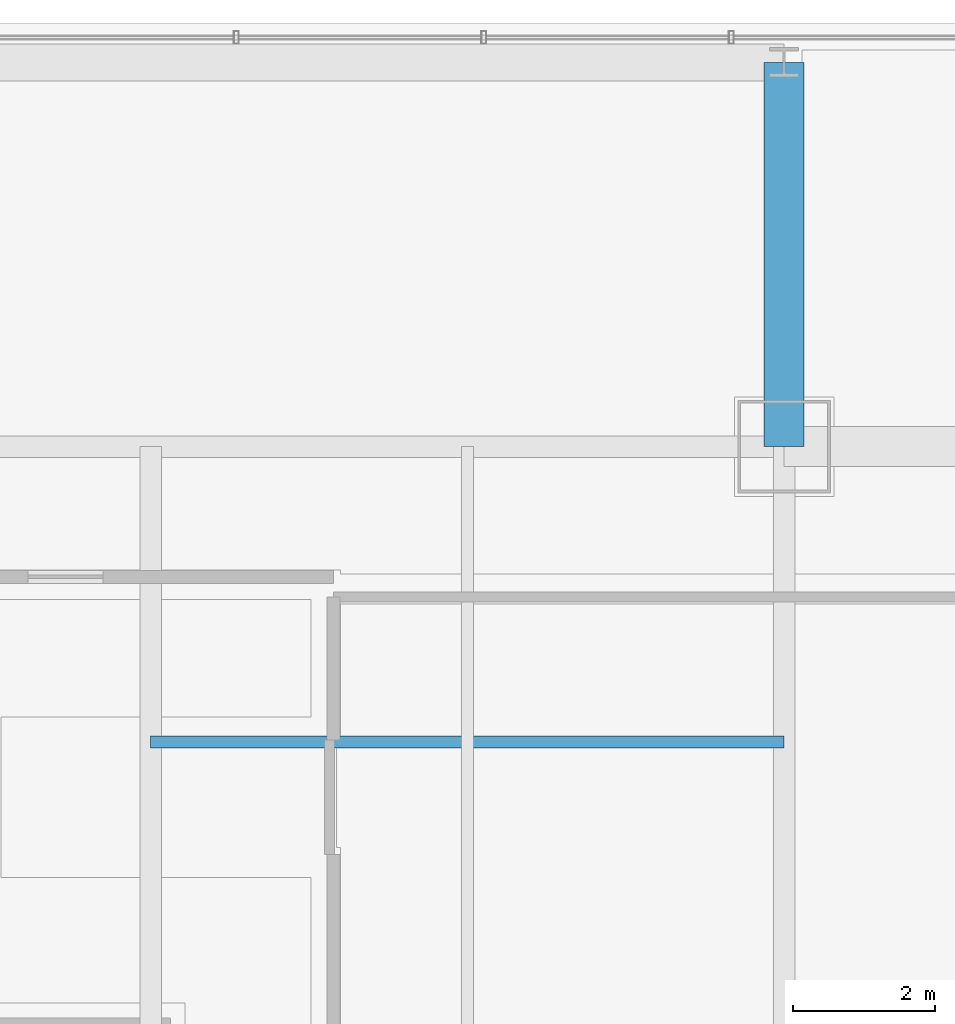
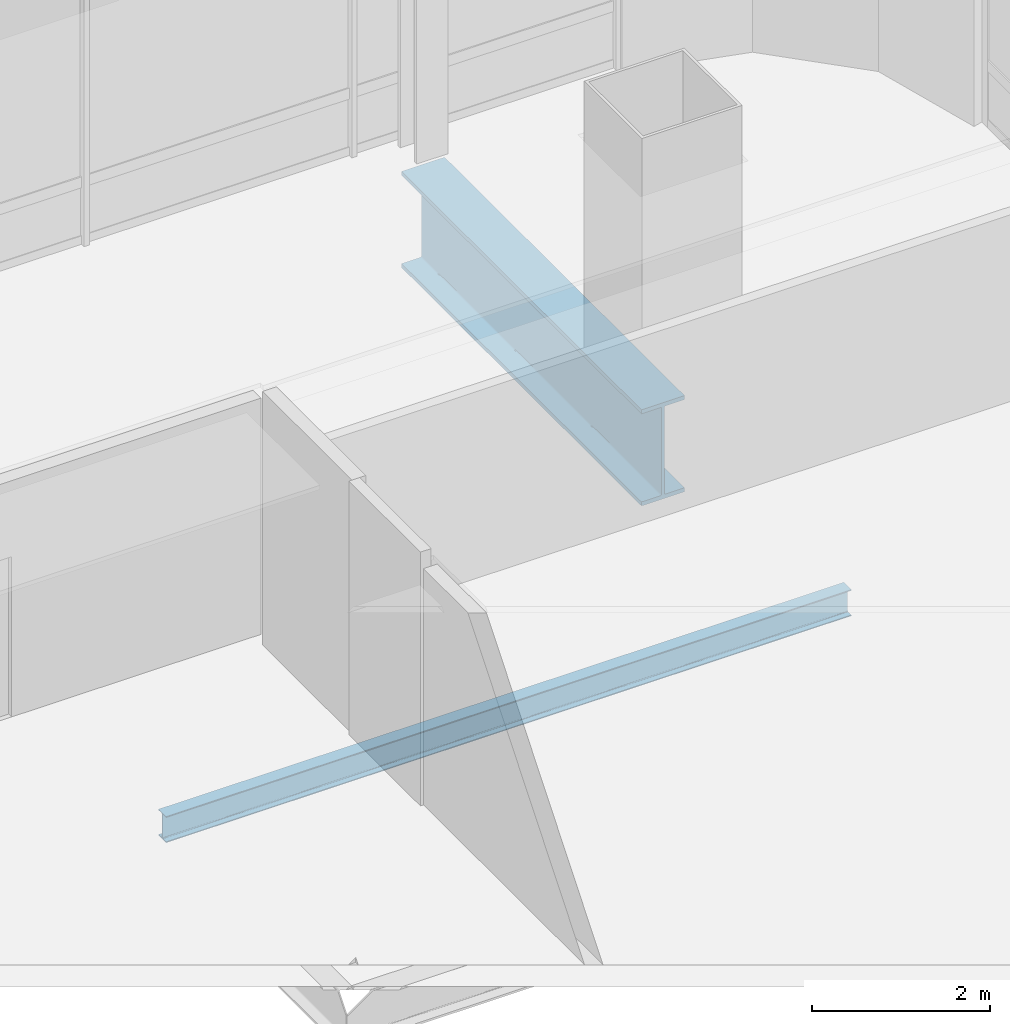
# One storey, part 25 of 44: 2 beams.
"""IFC4 building model written with IfcOpenShell, lengths in metres."""

from ifc_helpers import new_model, si_unit, direction, frame, origin, origin_2d, place, context, subcontext, project, spatial, i_section, extrude, material, material_profile, profile_set, type_object, element, save


model = new_model("IFC4")

# Units and contexts
model_context = context("Model", 3, precision=1e-05, world=origin(), true_north=direction((0.0, 1.0)))
body_context = subcontext(model_context, "Body", "Model", "MODEL_VIEW")
ifc_project = project(units=[si_unit("LENGTHUNIT", "METRE"), si_unit("AREAUNIT", "SQUARE_METRE"), si_unit("VOLUMEUNIT", "CUBIC_METRE"), si_unit("PLANEANGLEUNIT", "RADIAN"), si_unit("MASSUNIT", "GRAM", prefix="KILO")], contexts=[model_context])

# Site, building, storey
site_placement = place(None, origin())
site = spatial("IfcSite", under=ifc_project, at=site_placement, CompositionType="ELEMENT")
building_placement = place(site_placement, origin())
building = spatial("IfcBuilding", under=site, at=building_placement, Name="Punatoya Terracotta Tower", CompositionType="ELEMENT")
storey_placement = place(building_placement, frame((0.0, 0.0, 267.60009765625)))
storey = spatial("IfcBuildingStorey", under=building, at=storey_placement, Name="L63", CompositionType="ELEMENT", Elevation=267.60009765625)

# Beams
ifc_material_1 = material(Name="Steel S355", Category="steel")
ifc_material_profile_1 = material_profile(ifc_material_1, i_section(OverallWidth=0.169921875, OverallDepth=0.360107421875, WebThickness=0.008056640625, FlangeThickness=0.0126953125, FilletRadius=0.01806640625, at=origin_2d()))
ifc_profile_set_1 = profile_set([ifc_material_profile_1], Name="Steel S355")
beam_type_1 = type_object("IfcBeamType", Name="BM-SEC-360", PredefinedType="JOIST", material=ifc_profile_set_1)
beam_1_placement = place(storey_placement, frame((10.199951171875, 13.35009765625, -0.380126953125), z_axis=(1.0, 0.0, 0.0), x_axis=(0.0, 1.0, 0.0)))
element("IfcBeam", 1, at=beam_1_placement, inside=storey, type_object=beam_type_1, Name="BM-L63-SJN-2", PredefinedType="JOIST", context=body_context, shape_type="SweptSolid", body=[
    extrude(i_section(OverallWidth=0.169921875, OverallDepth=0.360107421875, WebThickness=0.008056640625, FlangeThickness=0.0126953125, FilletRadius=0.01806640625, at=origin_2d()), origin(), (0.0, 0.0, 1.0), 8.900146484375),
])
ifc_material_2 = material(Name="Steel S460", Category="steel")
ifc_material_profile_2 = material_profile(ifc_material_2, i_section(OverallWidth=0.56005859375, OverallDepth=1.320068359375, WebThickness=0.035888671875, FlangeThickness=0.054931640625, FilletRadius=0.01806640625, at=origin_2d()))
ifc_profile_set_2 = profile_set([ifc_material_profile_2], Name="Steel S460")
beam_type_2 = type_object("IfcBeamType", Name="BM-TG-BLK", PredefinedType="BEAM", material=ifc_profile_set_2)
beam_2_placement = place(storey_placement, frame((19.10009765625, 17.5, -0.860107421875), z_axis=(0.0, 1.0, 0.0), x_axis=(-1.0, 0.0, 0.0)))
element("IfcBeam", 2, at=beam_2_placement, inside=storey, type_object=beam_type_2, Name="BM-L63-CANT-N4", PredefinedType="BEAM", context=body_context, shape_type="SweptSolid", body=[
    extrude(i_section(OverallWidth=0.56005859375, OverallDepth=1.320068359375, WebThickness=0.035888671875, FlangeThickness=0.054931640625, FilletRadius=0.01806640625, at=origin_2d()), origin(), (0.0, 0.0, 1.0), 5.39990234375),
])

save(model, "model.ifc")
